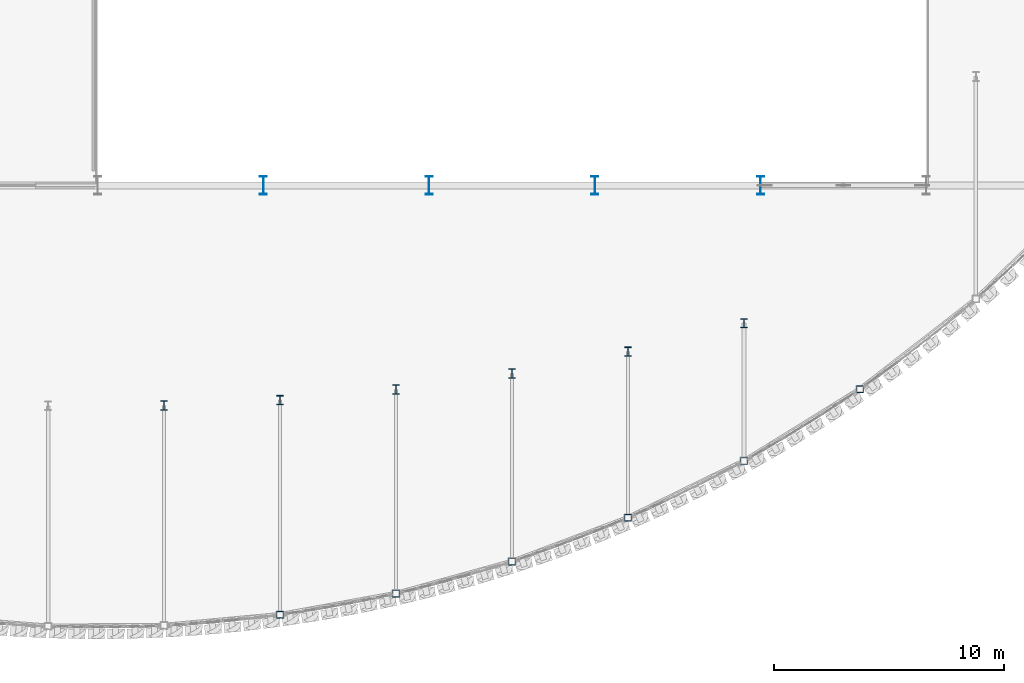
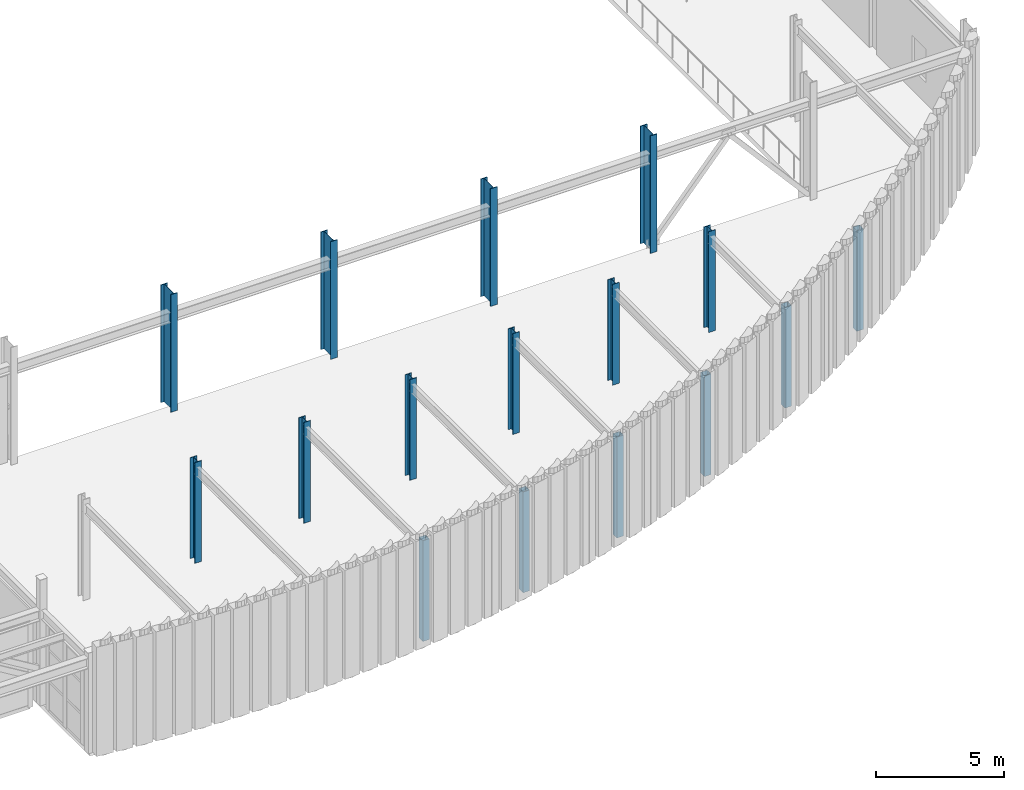
# One storey, part 5 of 126: 16 columns.
"""IFC4 building model written with IfcOpenShell, lengths in metres."""

from ifc_helpers import new_model, si_unit, direction, frame, origin, origin_2d, place, context, subcontext, project, spatial, hollow_rectangle, i_section, extrude, material, material_profile, profile_set, type_object, element, save


model = new_model("IFC4")

# Units and contexts
model_context = context("Model", 3, precision=1e-05, world=origin(), true_north=direction((0.0, 1.0)))
body_context = subcontext(model_context, "Body", "Model", "MODEL_VIEW")
ifc_project = project(units=[si_unit("LENGTHUNIT", "METRE"), si_unit("AREAUNIT", "SQUARE_METRE"), si_unit("VOLUMEUNIT", "CUBIC_METRE"), si_unit("PLANEANGLEUNIT", "RADIAN"), si_unit("MASSUNIT", "GRAM", prefix="KILO")], contexts=[model_context])

# Site, building, storey
site_placement = place(None, origin())
site = spatial("IfcSite", under=ifc_project, at=site_placement, CompositionType="ELEMENT")
building_placement = place(site_placement, origin())
building = spatial("IfcBuilding", under=site, at=building_placement, Name="Solvadek Multi-Sports Hall", CompositionType="ELEMENT")
storey_placement = place(building_placement, frame((0.0, 0.0, 9.60009765625)))
storey = spatial("IfcBuildingStorey", under=building, at=storey_placement, Name="L02", CompositionType="ELEMENT", Elevation=9.60009765625)

# Columns
ifc_material = material(Name="Steel E350 (350 MPa)", Category="steel")
ifc_material_profile_1 = material_profile(ifc_material, hollow_rectangle(XDim=0.300048828125, YDim=0.300048828125, WallThickness=0.012451171875, at=origin_2d()), Name="SHS 300x300x12.5")
ifc_profile_set_1 = profile_set([ifc_material_profile_1], Name="Steel E350 (350 MPa)")
column_type_1 = type_object("IfcColumnType", Name="STR-COL-SHS300", PredefinedType="COLUMN", material=ifc_profile_set_1)
for number, where, z_axis, x_axis, name in (
    (1, (101.52001953125, -12.65869140625, 0.0), (0.0, 0.0, 1.0), (1.0, 0.0, 0.0), "L02 Column C-10 #296"),
    (2, (106.56005859375, -11.73876953125, 0.0), (0.0, 0.0, 1.0), (1.0, 0.0, 0.0), "L02 Column C-10 #298"),
    (3, (111.60009765625, -10.346435546875, 0.0), (0.0, 0.0, 1.0), (1.0, 0.0, 0.0), "L02 Column C-10 #300"),
    (4, (116.639892578125, -8.4453125, 0.0), (0.0, 0.0, 1.0), (1.0, 0.0, 0.0), "L02 Column C-10 #302"),
    (5, (121.679931640625, -5.97802734375, 0.0), (0.0, 0.0, 1.0), (1.0, 0.0, 0.0), "L02 Column C-10 #304"),
    (6, (126.719970703125, -2.857177734375, 0.0), (0.0, 0.0, 1.0), (1.0, 0.0, 0.0), "L02 Column C-10 #306"),
):
    element("IfcColumn", number, at=place(storey_placement, frame(where, z_axis=z_axis, x_axis=x_axis)), inside=storey, type_object=column_type_1, Name=name, PredefinedType="COLUMN", context=body_context, shape_type="SweptSolid", body=[
        extrude(hollow_rectangle(XDim=0.300048828125, YDim=0.300048828125, WallThickness=0.012451171875, at=origin_2d()), origin(), (0.0, 0.0, 1.0), 4.7998046875),
    ])
ifc_material_profile_2 = material_profile(ifc_material, i_section(OverallWidth=0.300048828125, OverallDepth=0.39990234375, WebThickness=0.013427734375, FlangeThickness=0.02392578125, at=origin_2d()), Name="WPB 400")
ifc_profile_set_2 = profile_set([ifc_material_profile_2], Name="Steel E350 (350 MPa)")
column_type_2 = type_object("IfcColumnType", Name="STR-COL-WPB400", PredefinedType="COLUMN", material=ifc_profile_set_2)
for number, where, z_axis, x_axis, name in (
    (7, (96.47998046875, -3.564453125, 0.0), (0.0, 0.0, 1.0), (1.0, 0.0, 0.0), "L02 Column C-07 #295"),
    (8, (101.52001953125, -3.329345703125, 0.0), (0.0, 0.0, 1.0), (1.0, 0.0, 0.0), "L02 Column C-07 #297"),
    (9, (106.56005859375, -2.869384765625, 0.0), (0.0, 0.0, 1.0), (1.0, 0.0, 0.0), "L02 Column C-07 #299"),
    (10, (111.60009765625, -2.17333984375, 0.0), (0.0, 0.0, 1.0), (1.0, 0.0, 0.0), "L02 Column C-07 #301"),
    (11, (116.639892578125, -1.22265625, 0.0), (0.0, 0.0, 1.0), (1.0, 0.0, 0.0), "L02 Column C-07 #303"),
    (12, (121.679931640625, 0.010986328125, 0.0), (0.0, 0.0, 1.0), (1.0, 0.0, 0.0), "L02 Column C-07 #305"),
):
    element("IfcColumn", number, at=place(storey_placement, frame(where, z_axis=z_axis, x_axis=x_axis)), inside=storey, type_object=column_type_2, Name=name, PredefinedType="COLUMN", context=body_context, shape_type="SweptSolid", body=[
        extrude(i_section(OverallWidth=0.300048828125, OverallDepth=0.39990234375, WebThickness=0.013427734375, FlangeThickness=0.02392578125, at=origin_2d()), origin(), (0.0, 0.0, 1.0), 4.7998046875),
    ])
ifc_material_profile_3 = material_profile(ifc_material, i_section(OverallWidth=0.300048828125, OverallDepth=0.800048828125, WebThickness=0.017578125, FlangeThickness=0.032958984375, at=origin_2d()), Name="WPB 800")
ifc_profile_set_3 = profile_set([ifc_material_profile_3], Name="Steel E350 (350 MPa)")
column_type_3 = type_object("IfcColumnType", Name="STR-COL-WPB800", PredefinedType="COLUMN", material=ifc_profile_set_3)
for number, where, z_axis, x_axis, name in (
    (13, (100.800048828125, 6.0, 0.0), (0.0, 0.0, 1.0), (1.0, 0.0, 0.0), "L02 Column C-01 #198"),
    (14, (108.0, 6.0, 0.0), (0.0, 0.0, 1.0), (1.0, 0.0, 0.0), "L02 Column C-01 #206"),
    (15, (115.199951171875, 6.0, 0.0), (0.0, 0.0, 1.0), (1.0, 0.0, 0.0), "L02 Column C-01 #214"),
    (16, (122.39990234375, 6.0, 0.0), (0.0, 0.0, 1.0), (1.0, 0.0, 0.0), "L02 Column C-01 #222"),
):
    element("IfcColumn", number, at=place(storey_placement, frame(where, z_axis=z_axis, x_axis=x_axis)), inside=storey, type_object=column_type_3, Name=name, PredefinedType="COLUMN", context=body_context, shape_type="SweptSolid", body=[
        extrude(i_section(OverallWidth=0.300048828125, OverallDepth=0.800048828125, WebThickness=0.017578125, FlangeThickness=0.032958984375, at=origin_2d()), origin(), (0.0, 0.0, 1.0), 5.599853515625),
    ])

save(model, "model.ifc")
